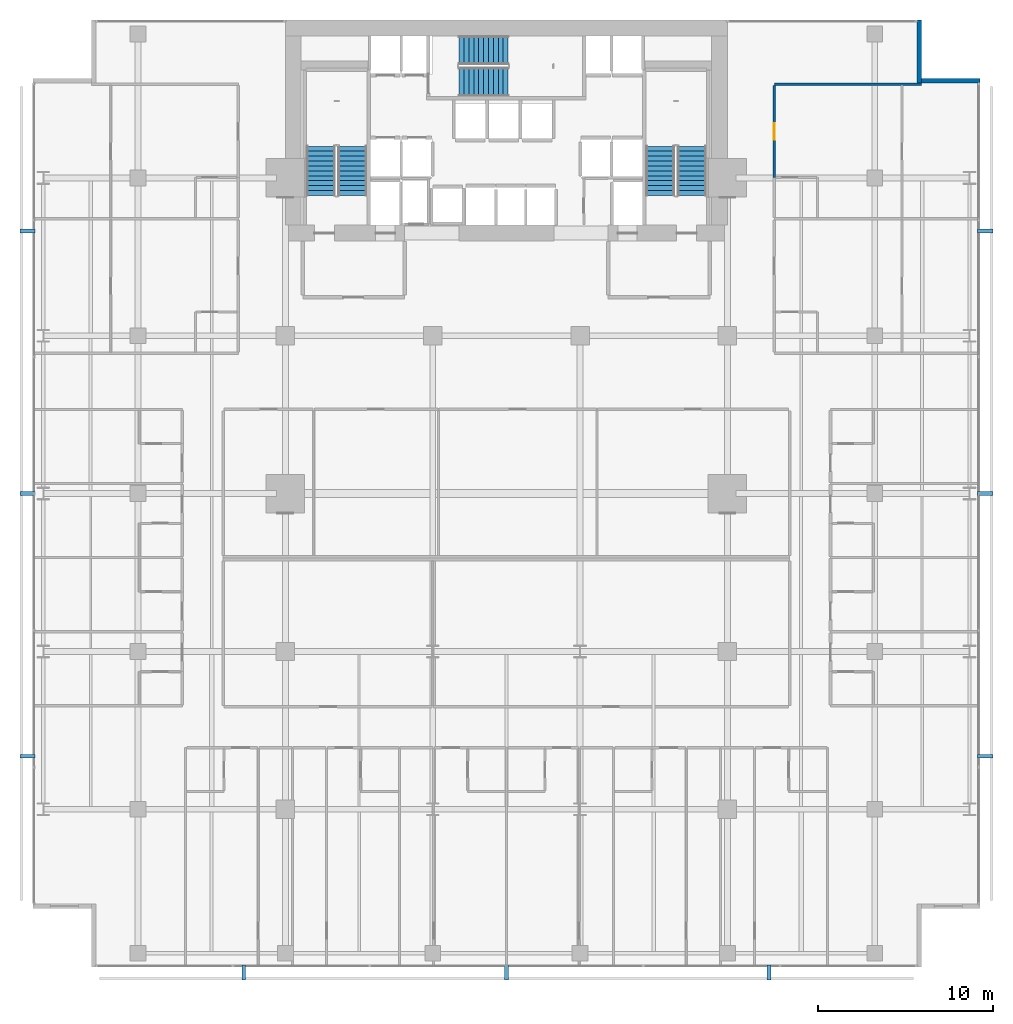
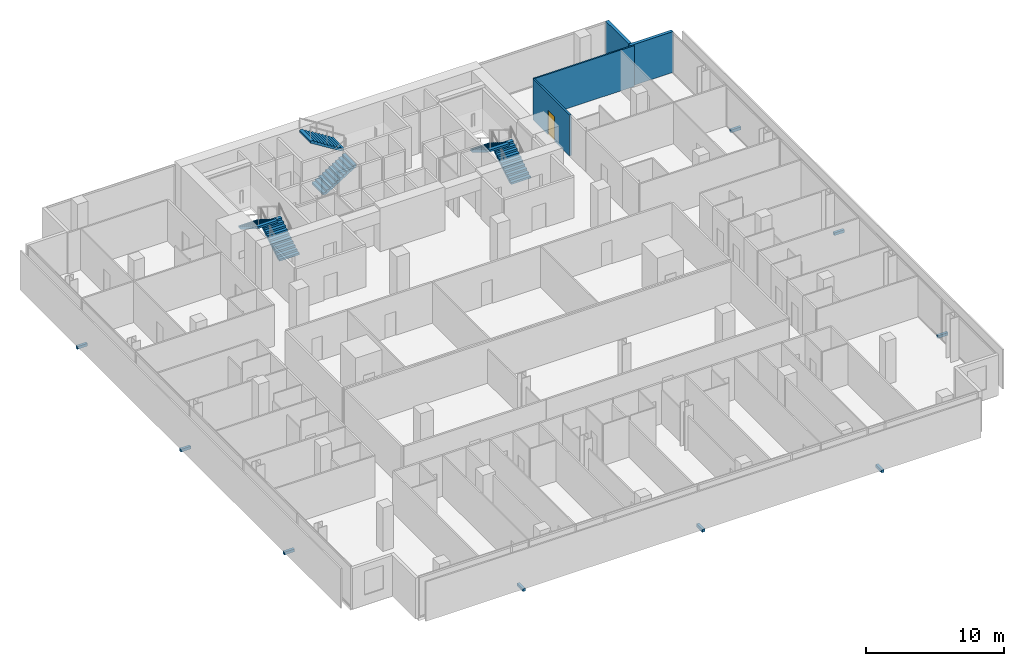
# One storey, part 38 of 40: 9 discrete accessories, 6 stair flights, 4 walls, 1 door, 1 opening, 3 elements without a shape of their own.
"""IFC4 building model written with IfcOpenShell, lengths in metres."""

from ifc_helpers import new_model, si_unit, direction, frame, frame_2d, origin, origin_2d, place, context, subcontext, project, spatial, polyline, rectangle, outline, extrude, material, layer, layer_set, type_object, element, fill, aggregate, save


model = new_model("IFC4")

# Units and contexts
model_context = context("Model", 3, precision=1e-05, world=origin(), true_north=direction((0.0, 1.0)))
body_context = subcontext(model_context, "Body", "Model", "MODEL_VIEW")
ifc_project = project(units=[si_unit("LENGTHUNIT", "METRE"), si_unit("AREAUNIT", "SQUARE_METRE"), si_unit("VOLUMEUNIT", "CUBIC_METRE"), si_unit("PLANEANGLEUNIT", "RADIAN"), si_unit("MASSUNIT", "GRAM", prefix="KILO")], contexts=[model_context])

# Site, building, storey
site_placement = place(None, origin())
site = spatial("IfcSite", under=ifc_project, at=site_placement, CompositionType="ELEMENT")
building_placement = place(site_placement, origin())
building = spatial("IfcBuilding", under=site, at=building_placement, Name="Maruvema Waterfront Hotel and Observation Tower", CompositionType="ELEMENT")
storey_placement = place(building_placement, frame((0.0, 0.0, 34.64990234375)))
storey = spatial("IfcBuildingStorey", under=building, at=storey_placement, Name="L07", CompositionType="ELEMENT", Elevation=34.64990234375)

# Wall, opening, door
ifc_material_1 = material(Name="Twin-stud acoustic gypsum drywall", Category="gypsum")
ifc_layer_1 = layer(ifc_material_1, 0.14990234375, Name="Acoustic Corridor and Suite Demising Wall 150 mm")
ifc_layer_set_1 = layer_set([ifc_layer_1], Name="Twin-stud acoustic gypsum drywall")
wall_type_1 = type_object("IfcWallType", Name="Acoustic Corridor and Suite Demising Wall 150 mm", PredefinedType="PARTITIONING", material=ifc_layer_set_1)
wall_1_placement = place(storey_placement, frame((53.080078125, 45.018798828125, 0.0), z_axis=(0.0, 0.0, 1.0), x_axis=(0.0, 1.0, 0.0)))
wall_1 = element("IfcWall", 1, at=wall_1_placement, inside=storey, type_object=wall_type_1, Name="L07 Room L07-NE2 Corridor Wall 135", PredefinedType="PARTITIONING", context=body_context, shape_type="SweptSolid", body=[
    extrude(rectangle(XDim=5.2587890625, YDim=0.14990234375, at=frame_2d((2.62939453125, 0.0))), origin(), (0.0, 0.0, 1.0), 3.610107421875),
])
opening_placement = place(wall_1_placement, frame((2.154296875, 0.0, 0.0)))
opening = element("IfcOpeningElement", 2, at=opening_placement, cuts=wall_1, Name="Opening DR-095", PredefinedType="OPENING", context=body_context, shape_type="SweptSolid", body=[
    extrude(rectangle(XDim=0.949951171875, YDim=2.14990234375, at=frame_2d((0.47509765625, 1.074951171875))), frame((0.0, 0.0849609375, 0.0), z_axis=(0.0, -1.0, 0.0), x_axis=(1.0, 0.0, 0.0)), (0.0, 0.0, 1.0), 0.169921875),
])
ifc_material_2 = material(Name="Acoustic solid-core hardwood timber leaf", Category="wood")
door_type = type_object("IfcDoorType", Name="Guestroom Entrance Fire Door 950x2150 mm", OperationType="NOTDEFINED", PredefinedType="DOOR", material=ifc_material_2)
door_placement = place(opening_placement, frame((0.949951171875, 0.0, 0.0), z_axis=(0.0, 0.0, 1.0), x_axis=(-1.0, 0.0, 0.0)))
door = element("IfcDoor", 3, at=door_placement, inside=storey, type_object=door_type, Name="L07 Room L07-NE2 Entrance Door", OperationType="SINGLE_SWING_LEFT", OverallHeight=2.14990234375, OverallWidth=0.949951171875, PredefinedType="DOOR", context=body_context, shape_type="SweptSolid", body=[
    extrude(rectangle(XDim=0.949951171875, YDim=2.14990234375, at=frame_2d((0.47509765625, 1.074951171875))), frame((0.0, 0.02490234375, 0.0), z_axis=(0.0, -1.0, 0.0), x_axis=(1.0, 0.0, 0.0)), (0.0, 0.0, 1.0), 0.050048828125),
])
fill(opening, door)

# Walls
ifc_material_3 = material(Name="Precast concrete C45/55 with honed Pernambuco granite facing", Category="masonry")
ifc_layer_2 = layer(ifc_material_3, 0.260009765625, Name="Exterior Granite Clad Spandrel and Pier Wall 260 mm")
ifc_layer_set_2 = layer_set([ifc_layer_2], Name="Precast concrete C45/55 with honed Pernambuco granite facing")
wall_type_2 = type_object("IfcWallType", Name="Exterior Granite Clad Spandrel and Pier Wall 260 mm", PredefinedType="SOLIDWALL", material=ifc_layer_set_2)
for number, where, z_axis, x_axis, name in (
    (4, (61.330078125, 54.0, 0.0), (0.0, 0.0, 1.0), (0.0, -1.0, 0.0), "L07 Corner Notch Granite Pier Wall NE1"),
    (5, (61.199951171875, 50.530029296875, 0.0), (0.0, 0.0, 1.0), (1.0, 0.0, 0.0), "L07 Corner Notch Granite Pier Wall NE2"),
):
    element("IfcWall", number, at=place(storey_placement, frame(where, z_axis=z_axis, x_axis=x_axis)), inside=storey, type_object=wall_type_2, Name=name, PredefinedType="SOLIDWALL", context=body_context, shape_type="SweptSolid", body=[
        extrude(rectangle(XDim=3.60009765625, YDim=0.260009765625, at=frame_2d((1.800048828125, 0.0))), origin(), (0.0, 0.0, 1.0), 3.610107421875),
    ])
ifc_material_4 = material(Name="Acoustic gypsum plasterboard drywall", Category="gypsum")
ifc_layer_3 = layer(ifc_material_4, 0.125, Name="Guestroom Acoustic Demising Wall 125 mm")
ifc_layer_set_3 = layer_set([ifc_layer_3], Name="Acoustic gypsum plasterboard drywall")
wall_type_3 = type_object("IfcWallType", Name="Guestroom Acoustic Demising Wall 125 mm", PredefinedType="PARTITIONING", material=ifc_layer_set_3)
wall_2_placement = place(storey_placement, frame((53.080078125, 50.33740234375, 0.0), z_axis=(0.0, 0.0, 1.0), x_axis=(1.0, 0.0, 0.0)))
element("IfcWall", 6, at=wall_2_placement, inside=storey, type_object=wall_type_3, Name="L07 NE Top End 116", PredefinedType="PARTITIONING", context=body_context, shape_type="SweptSolid", body=[
    extrude(rectangle(XDim=8.3798828125, YDim=0.125, at=frame_2d((4.18994140625, 0.0))), origin(), (0.0, 0.0, 1.0), 3.610107421875),
])

# Stair, stair flights
ifc_material_5 = material(Name="Concrete C50/60", Category="concrete")
stair_type = type_object("IfcStairType", Name="Dogleg Exit Stair 1650 mm (22R x 175.0 mm)", PredefinedType="HALF_TURN_STAIR", material=ifc_material_5)
stair_1_placement = place(storey_placement, origin())
stair_1 = element("IfcStair", 7, at=stair_1_placement, inside=storey, type_object=stair_type, Name="L07 ST-01", PredefinedType="HALF_TURN_STAIR")
ifc_material_6 = material(Name="Concrete C50/60", Category="concrete")
stair_flight_type = type_object("IfcStairFlightType", Name="Reinforced Concrete Stair Flight 1650 mm (11R x 175.0 mm)", PredefinedType="STRAIGHT", material=ifc_material_6)
stair_flight_1_placement = place(storey_placement, frame((29.02490234375, 44.0, 0.0), z_axis=(0.0, 0.0, 1.0), x_axis=(0.0, 1.0, 0.0)))
stair_flight_1 = element("IfcStairFlight", 8, at=stair_flight_1_placement, type_object=stair_flight_type, Name="ST-01 flight 1", NumberOfRisers=11, NumberOfTreads=10, PredefinedType="STRAIGHT", RiserHeight=0.175, TreadLength=0.28, context=body_context, shape_type="SweptSolid", body=[
    extrude(outline(polyline([(0.0, 0.0), (0.0, 0.175048828125), (0.280029296875, 0.175048828125), (0.280029296875, 0.35009765625), (0.56005859375, 0.35009765625), (0.56005859375, 0.52490234375), (0.840087890625, 0.52490234375), (0.840087890625, 0.699951171875), (1.1201171875, 0.699951171875), (1.1201171875, 0.875), (1.39990234375, 0.875), (1.39990234375, 1.050048828125), (1.679931640625, 1.050048828125), (1.679931640625, 1.22509765625), (1.9599609375, 1.22509765625), (1.9599609375, 1.39990234375), (2.239990234375, 1.39990234375), (2.239990234375, 1.574951171875), (2.52001953125, 1.574951171875), (2.52001953125, 1.75), (2.800048828125, 1.75), (2.800048828125, 1.925048828125), (2.800048828125, 1.5732421875), (0.28271484375, 0.0), (0.0, 0.0)])), frame((0.0, 0.824951171875, 0.0), z_axis=(0.0, -1.0, 0.0), x_axis=(1.0, 0.0, 0.0)), (0.0, 0.0, 1.0), 1.64990234375),
])
stair_flight_2_placement = place(storey_placement, frame((27.22509765625, 46.800048828125, 1.925048828125), z_axis=(0.0, 0.0, 1.0), x_axis=(0.0, -1.0, 0.0)))
stair_flight_2 = element("IfcStairFlight", 9, at=stair_flight_2_placement, type_object=stair_flight_type, Name="ST-01 flight 2", NumberOfRisers=11, NumberOfTreads=10, PredefinedType="STRAIGHT", RiserHeight=0.175, TreadLength=0.28, context=body_context, shape_type="SweptSolid", body=[
    extrude(outline(polyline([(0.0, 0.0), (0.0, 0.175048828125), (0.280029296875, 0.175048828125), (0.280029296875, 0.35009765625), (0.56005859375, 0.35009765625), (0.56005859375, 0.52490234375), (0.840087890625, 0.52490234375), (0.840087890625, 0.699951171875), (1.1201171875, 0.699951171875), (1.1201171875, 0.875), (1.39990234375, 0.875), (1.39990234375, 1.050048828125), (1.679931640625, 1.050048828125), (1.679931640625, 1.22509765625), (1.9599609375, 1.22509765625), (1.9599609375, 1.39990234375), (2.239990234375, 1.39990234375), (2.239990234375, 1.574951171875), (2.52001953125, 1.574951171875), (2.52001953125, 1.75), (2.800048828125, 1.75), (2.800048828125, 1.925048828125), (2.800048828125, 1.5732421875), (0.28271484375, 0.0), (0.0, 0.0)])), frame((0.0, 0.824951171875, 0.0), z_axis=(0.0, -1.0, 0.0), x_axis=(1.0, 0.0, 0.0)), (0.0, 0.0, 1.0), 1.64990234375),
])
aggregate(stair_1, [stair_flight_1, stair_flight_2])

stair_2_placement = place(storey_placement, origin())
stair_2 = element("IfcStair", 10, at=stair_2_placement, inside=storey, type_object=stair_type, Name="L07 ST-02", PredefinedType="HALF_TURN_STAIR")
stair_flight_3_placement = place(storey_placement, frame((35.10009765625, 50.47509765625, 0.0), z_axis=(0.0, 0.0, 1.0), x_axis=(1.0, 0.0, 0.0)))
stair_flight_3 = element("IfcStairFlight", 11, at=stair_flight_3_placement, type_object=stair_flight_type, Name="ST-02 flight 1", NumberOfRisers=11, NumberOfTreads=10, PredefinedType="STRAIGHT", RiserHeight=0.175, TreadLength=0.28, context=body_context, shape_type="SweptSolid", body=[
    extrude(outline(polyline([(0.0, 0.0), (0.0, 0.175048828125), (0.280029296875, 0.175048828125), (0.280029296875, 0.35009765625), (0.56005859375, 0.35009765625), (0.56005859375, 0.52490234375), (0.840087890625, 0.52490234375), (0.840087890625, 0.699951171875), (1.1201171875, 0.699951171875), (1.1201171875, 0.875), (1.39990234375, 0.875), (1.39990234375, 1.050048828125), (1.679931640625, 1.050048828125), (1.679931640625, 1.22509765625), (1.9599609375, 1.22509765625), (1.9599609375, 1.39990234375), (2.239990234375, 1.39990234375), (2.239990234375, 1.574951171875), (2.52001953125, 1.574951171875), (2.52001953125, 1.75), (2.800048828125, 1.75), (2.800048828125, 1.925048828125), (2.800048828125, 1.5732421875), (0.28271484375, 0.0), (0.0, 0.0)])), frame((0.0, 0.824951171875, 0.0), z_axis=(0.0, -1.0, 0.0), x_axis=(1.0, 0.0, 0.0)), (0.0, 0.0, 1.0), 1.64990234375),
])
stair_flight_4_placement = place(storey_placement, frame((37.89990234375, 52.27490234375, 1.925048828125), z_axis=(0.0, 0.0, 1.0), x_axis=(-1.0, 0.0, 0.0)))
stair_flight_4 = element("IfcStairFlight", 12, at=stair_flight_4_placement, type_object=stair_flight_type, Name="ST-02 flight 2", NumberOfRisers=11, NumberOfTreads=10, PredefinedType="STRAIGHT", RiserHeight=0.175, TreadLength=0.28, context=body_context, shape_type="SweptSolid", body=[
    extrude(outline(polyline([(0.0, 0.0), (0.0, 0.175048828125), (0.280029296875, 0.175048828125), (0.280029296875, 0.35009765625), (0.56005859375, 0.35009765625), (0.56005859375, 0.52490234375), (0.840087890625, 0.52490234375), (0.840087890625, 0.699951171875), (1.1201171875, 0.699951171875), (1.1201171875, 0.875), (1.39990234375, 0.875), (1.39990234375, 1.050048828125), (1.679931640625, 1.050048828125), (1.679931640625, 1.22509765625), (1.9599609375, 1.22509765625), (1.9599609375, 1.39990234375), (2.239990234375, 1.39990234375), (2.239990234375, 1.574951171875), (2.52001953125, 1.574951171875), (2.52001953125, 1.75), (2.800048828125, 1.75), (2.800048828125, 1.925048828125), (2.800048828125, 1.5732421875), (0.28271484375, 0.0), (0.0, 0.0)])), frame((0.0, 0.824951171875, 0.0), z_axis=(0.0, -1.0, 0.0), x_axis=(1.0, 0.0, 0.0)), (0.0, 0.0, 1.0), 1.64990234375),
])
aggregate(stair_2, [stair_flight_3, stair_flight_4])

stair_3_placement = place(storey_placement, origin())
stair_3 = element("IfcStair", 13, at=stair_3_placement, inside=storey, type_object=stair_type, Name="L07 ST-03", PredefinedType="HALF_TURN_STAIR")
stair_flight_5_placement = place(storey_placement, frame((48.375, 44.0, 0.0), z_axis=(0.0, 0.0, 1.0), x_axis=(0.0, 1.0, 0.0)))
stair_flight_5 = element("IfcStairFlight", 14, at=stair_flight_5_placement, type_object=stair_flight_type, Name="ST-03 flight 1", NumberOfRisers=11, NumberOfTreads=10, PredefinedType="STRAIGHT", RiserHeight=0.175, TreadLength=0.28, context=body_context, shape_type="SweptSolid", body=[
    extrude(outline(polyline([(0.0, 0.0), (0.0, 0.175048828125), (0.280029296875, 0.175048828125), (0.280029296875, 0.35009765625), (0.56005859375, 0.35009765625), (0.56005859375, 0.52490234375), (0.840087890625, 0.52490234375), (0.840087890625, 0.699951171875), (1.1201171875, 0.699951171875), (1.1201171875, 0.875), (1.39990234375, 0.875), (1.39990234375, 1.050048828125), (1.679931640625, 1.050048828125), (1.679931640625, 1.22509765625), (1.9599609375, 1.22509765625), (1.9599609375, 1.39990234375), (2.239990234375, 1.39990234375), (2.239990234375, 1.574951171875), (2.52001953125, 1.574951171875), (2.52001953125, 1.75), (2.800048828125, 1.75), (2.800048828125, 1.925048828125), (2.800048828125, 1.5732421875), (0.28271484375, 0.0), (0.0, 0.0)])), frame((0.0, 0.824951171875, 0.0), z_axis=(0.0, -1.0, 0.0), x_axis=(1.0, 0.0, 0.0)), (0.0, 0.0, 1.0), 1.64990234375),
])
stair_flight_6_placement = place(storey_placement, frame((46.574951171875, 46.800048828125, 1.925048828125), z_axis=(0.0, 0.0, 1.0), x_axis=(0.0, -1.0, 0.0)))
stair_flight_6 = element("IfcStairFlight", 15, at=stair_flight_6_placement, type_object=stair_flight_type, Name="ST-03 flight 2", NumberOfRisers=11, NumberOfTreads=10, PredefinedType="STRAIGHT", RiserHeight=0.175, TreadLength=0.28, context=body_context, shape_type="SweptSolid", body=[
    extrude(outline(polyline([(0.0, 0.0), (0.0, 0.175048828125), (0.280029296875, 0.175048828125), (0.280029296875, 0.35009765625), (0.56005859375, 0.35009765625), (0.56005859375, 0.52490234375), (0.840087890625, 0.52490234375), (0.840087890625, 0.699951171875), (1.1201171875, 0.699951171875), (1.1201171875, 0.875), (1.39990234375, 0.875), (1.39990234375, 1.050048828125), (1.679931640625, 1.050048828125), (1.679931640625, 1.22509765625), (1.9599609375, 1.22509765625), (1.9599609375, 1.39990234375), (2.239990234375, 1.39990234375), (2.239990234375, 1.574951171875), (2.52001953125, 1.574951171875), (2.52001953125, 1.75), (2.800048828125, 1.75), (2.800048828125, 1.925048828125), (2.800048828125, 1.5732421875), (0.28271484375, 0.0), (0.0, 0.0)])), frame((0.0, 0.824951171875, 0.0), z_axis=(0.0, -1.0, 0.0), x_axis=(1.0, 0.0, 0.0)), (0.0, 0.0, 1.0), 1.64990234375),
])
aggregate(stair_3, [stair_flight_5, stair_flight_6])

# Discrete accessories
ifc_material_7 = material(Name="Duplex stainless steel Grade 2205", Category="steel")
discrete_accessory_type = type_object("IfcDiscreteAccessoryType", Name="Double-Skin Cavity Stainless Outrigger Bracket", PredefinedType="BRACKET", material=ifc_material_7)
for number, where, z_axis, x_axis, name in (
    (16, (22.823974609375, -0.300048828125, -0.14013671875), (0.0, 0.0, 1.0), (1.0, 0.0, 0.0), "L07 Outer Skin Support Bracket 1"),
    (17, (37.800048828125, -0.300048828125, -0.14013671875), (0.0, 0.0, 1.0), (1.0, 0.0, 0.0), "L07 Outer Skin Support Bracket 2"),
    (18, (52.77587890625, -0.300048828125, -0.14013671875), (0.0, 0.0, 1.0), (1.0, 0.0, 0.0), "L07 Outer Skin Support Bracket 3"),
    (19, (65.10009765625, 12.02392578125, -0.14013671875), (0.0, 0.0, 1.0), (0.0, 1.0, 0.0), "L07 Outer Skin Support Bracket 1"),
    (20, (65.10009765625, 27.0, -0.14013671875), (0.0, 0.0, 1.0), (0.0, 1.0, 0.0), "L07 Outer Skin Support Bracket 2"),
    (21, (65.10009765625, 41.97607421875, -0.14013671875), (0.0, 0.0, 1.0), (0.0, 1.0, 0.0), "L07 Outer Skin Support Bracket 3"),
    (22, (10.5, 41.97607421875, -0.14013671875), (0.0, 0.0, 1.0), (0.0, -1.0, 0.0), "L07 Outer Skin Support Bracket 1"),
    (23, (10.5, 27.0, -0.14013671875), (0.0, 0.0, 1.0), (0.0, -1.0, 0.0), "L07 Outer Skin Support Bracket 2"),
    (24, (10.5, 12.02392578125, -0.14013671875), (0.0, 0.0, 1.0), (0.0, -1.0, 0.0), "L07 Outer Skin Support Bracket 3"),
):
    element("IfcDiscreteAccessory", number, at=place(storey_placement, frame(where, z_axis=z_axis, x_axis=x_axis)), inside=storey, type_object=discrete_accessory_type, Name=name, PredefinedType="BRACKET", context=body_context, shape_type="SweptSolid", body=[
        extrude(rectangle(XDim=0.219970703125, YDim=0.860107421875, at=origin_2d()), origin(), (0.0, 0.0, 1.0), 0.239990234375),
    ])

save(model, "model.ifc")
